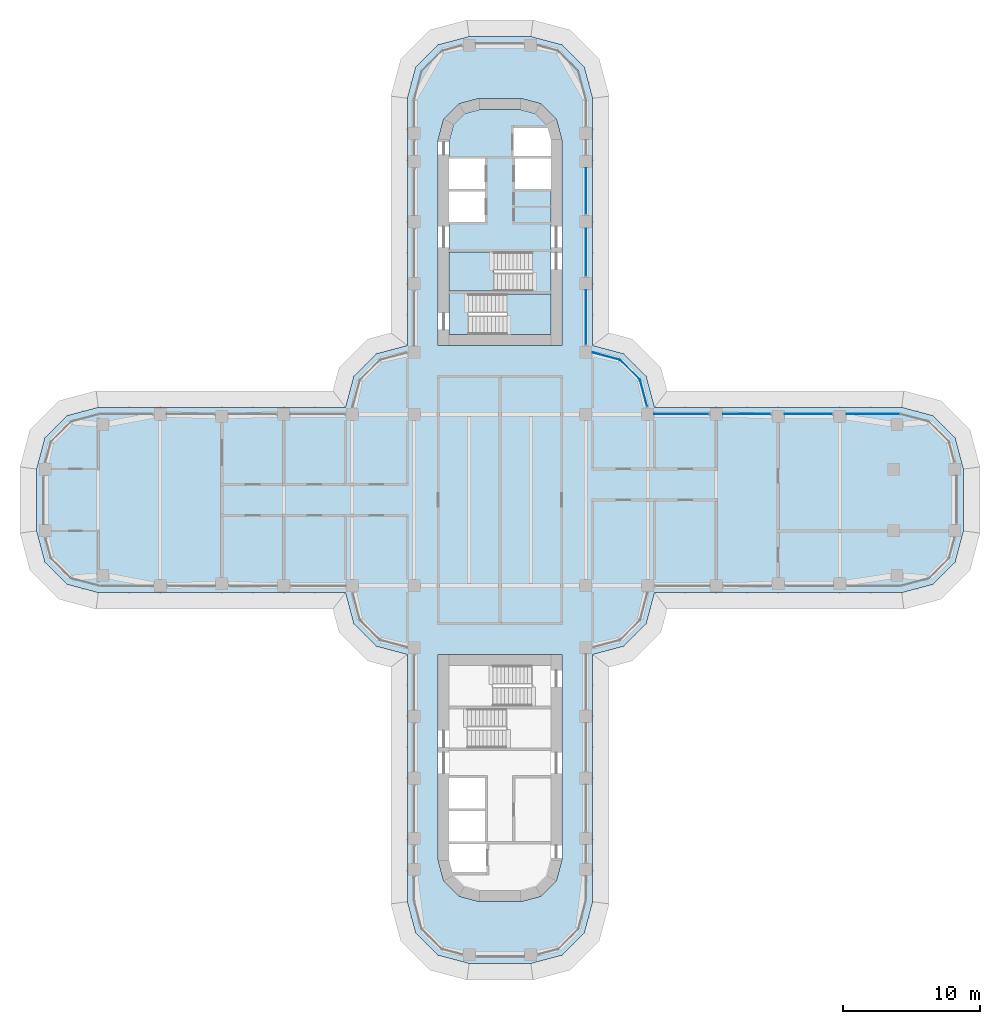
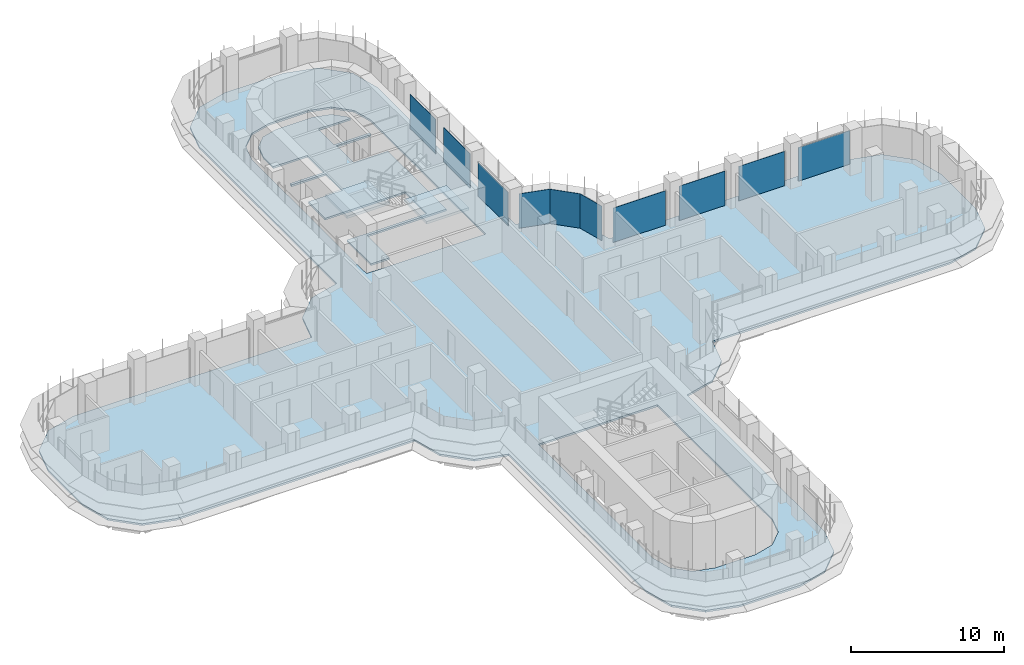
# One storey, part 15 of 23: 10 plates, 4 slabs, 7 elements without a shape of their own.
"""IFC4 building model written with IfcOpenShell, lengths in metres."""

from ifc_helpers import new_model, si_unit, direction, frame, origin, place, context, subcontext, project, spatial, polyline, outline, extrude, source, transform, mapped, material, layer, layer_set, type_object, element, aggregate, save


model = new_model("IFC4")

# Units and contexts
model_context = context("Model", 3, precision=1e-05, world=origin(), true_north=direction((0.0, 1.0)))
body_context = subcontext(model_context, "Body", "Model", "MODEL_VIEW")
ifc_project = project(units=[si_unit("LENGTHUNIT", "METRE"), si_unit("AREAUNIT", "SQUARE_METRE"), si_unit("VOLUMEUNIT", "CUBIC_METRE"), si_unit("PLANEANGLEUNIT", "RADIAN"), si_unit("MASSUNIT", "GRAM", prefix="KILO")], contexts=[model_context])

# Site, building, storey
site_placement = place(None, origin())
site = spatial("IfcSite", under=ifc_project, at=site_placement, CompositionType="ELEMENT")
building_placement = place(site_placement, origin())
building = spatial("IfcBuilding", under=site, at=building_placement, Name="Zarbagh Exchange Tower", CompositionType="ELEMENT")
storey_placement = place(building_placement, frame((0.0, 0.0, 90.39990234375)))
storey = spatial("IfcBuildingStorey", under=building, at=storey_placement, Name="L20", CompositionType="ELEMENT", Elevation=90.39990234375)

# Slabs
ifc_material_1 = material(Name="Concrete C40/50", Category="concrete")
ifc_layer_1 = layer(ifc_material_1, 0.14990234375)
ifc_layer_set_1 = layer_set([ifc_layer_1], Name="Composite floor slab 150 C40/50")
slab_type_1 = type_object("IfcSlabType", Name="Composite floor slab 150 C40/50", PredefinedType="FLOOR", material=ifc_layer_set_1)
slab_1_placement = place(storey_placement, frame((0.0, 0.0, -0.14990234375)))
element("IfcSlab", 1, at=slab_1_placement, inside=storey, type_object=slab_type_1, Name="S5 composite floor slab", PredefinedType="FLOOR", context=body_context, shape_type="SweptSolid", body=[
    extrude(outline(polyline([(-2.25, -33.75), (-4.5, -33.147216796875), (-6.147216796875, -31.5), (-6.75, -29.25), (-6.75, -11.25), (-9.0, -10.647216796875), (-10.647216796875, -9.0), (-11.25, -6.75), (-29.25, -6.75), (-31.5, -6.147216796875), (-33.147216796875, -4.5), (-33.75, -2.25), (-33.75, 2.25), (-33.147216796875, 4.5), (-31.5, 6.147216796875), (-29.25, 6.75), (-11.25, 6.75), (-10.647216796875, 9.0), (-9.0, 10.647216796875), (-6.75, 11.25), (-6.75, 29.25), (-6.147216796875, 31.5), (-4.5, 33.147216796875), (-2.25, 33.75), (2.25, 33.75), (4.5, 33.147216796875), (6.147216796875, 31.5), (6.75, 29.25), (6.75, 11.25), (9.0, 10.647216796875), (10.647216796875, 9.0), (11.25, 6.75), (29.25, 6.75), (31.5, 6.147216796875), (33.147216796875, 4.5), (33.75, 2.25), (33.75, -2.25), (33.147216796875, -4.5), (31.5, -6.147216796875), (29.25, -6.75), (11.25, -6.75), (10.647216796875, -9.0), (9.0, -10.647216796875), (6.75, -11.25), (6.75, -29.25), (6.147216796875, -31.5), (4.5, -33.147216796875), (2.25, -33.75), (-2.25, -33.75)]), holes=[polyline([(4.5, 11.25), (4.5, 26.25), (4.09814453125, 27.75), (3.0, 28.84814453125), (1.5, 29.25), (-1.5, 29.25), (-3.0, 28.84814453125), (-4.09814453125, 27.75), (-4.5, 26.25), (-4.5, 11.25), (4.5, 11.25)]), polyline([(-1.5, -29.25), (1.5, -29.25), (3.0, -28.84814453125), (4.09814453125, -27.75), (4.5, -26.25), (4.5, -11.25), (-4.5, -11.25), (-4.5, -26.25), (-4.09814453125, -27.75), (-3.0, -28.84814453125), (-1.5, -29.25)])]), origin(), (0.0, 0.0, 1.0), 0.14990234375),
])
ifc_layer_2 = layer(ifc_material_1, 0.14990234375)
ifc_layer_set_2 = layer_set([ifc_layer_2], Name="Core floor slab 150 C40/50")
slab_type_2 = type_object("IfcSlabType", Name="Core floor slab 150 C40/50", PredefinedType="FLOOR", material=ifc_layer_set_2)
slab_2_placement = place(storey_placement, frame((0.0, 0.0, -0.14990234375)))
element("IfcSlab", 2, at=slab_2_placement, inside=storey, type_object=slab_type_2, Name="S17 core N", PredefinedType="FLOOR", context=body_context, shape_type="SweptSolid", body=[
    extrude(outline(polyline([(-3.699951171875, 12.050048828125), (-3.699951171875, 15.199951171875), (2.35009765625, 15.199951171875), (2.35009765625, 18.050048828125), (-3.699951171875, 18.050048828125), (-3.699951171875, 20.25), (-1.10009765625, 20.25), (-1.10009765625, 22.449951171875), (-3.699951171875, 22.449951171875), (-3.699951171875, 22.64990234375), (-1.10009765625, 22.64990234375), (-1.10009765625, 24.85009765625), (-3.699951171875, 24.85009765625), (-3.699951171875, 26.144775390625), (-3.380859375, 27.3359375), (-2.5859375, 28.130859375), (-1.394775390625, 28.449951171875), (1.394775390625, 28.449951171875), (2.5859375, 28.130859375), (3.380859375, 27.3359375), (3.646484375, 26.3447265625), (3.444091796875, 27.10009765625), (1.0, 27.10009765625), (1.0, 25.050048828125), (3.699951171875, 25.050048828125), (3.699951171875, 24.85009765625), (1.10009765625, 24.85009765625), (1.10009765625, 22.64990234375), (3.699951171875, 22.64990234375), (3.699951171875, 15.0), (-2.300048828125, 15.0), (-2.300048828125, 12.050048828125), (-3.699951171875, 12.050048828125)])), origin(), (0.0, 0.0, 1.0), 0.14990234375),
])

# Stair, slab
stair_type = type_object("IfcStairType", Name="Exit stair two-flight half-turn", PredefinedType="HALF_TURN_STAIR", material=ifc_material_1)
stair_1_placement = place(storey_placement, origin())
stair_1 = element("IfcStair", 3, at=stair_1_placement, inside=storey, type_object=stair_type, Name="exit stair ST1", PredefinedType="HALF_TURN_STAIR")
ifc_layer_3 = layer(ifc_material_1, 0.199951171875)
ifc_layer_set_3 = layer_set([ifc_layer_3], Name="Stair landing 200 mm")
slab_type_3 = type_object("IfcSlabType", Name="Stair landing 200 mm", PredefinedType="LANDING", material=ifc_layer_set_3)
slab_3_placement = place(storey_placement, frame((0.0, 0.0, 1.7001953125)))
slab_3 = element("IfcSlab", 4, at=slab_3_placement, type_object=slab_type_3, Name="ST1 landing 1", PredefinedType="LANDING", context=body_context, shape_type="SweptSolid", body=[
    extrude(outline(polyline([(-0.449951171875, 18.050048828125), (-3.699951171875, 18.050048828125), (-3.699951171875, 15.199951171875), (-0.449951171875, 15.199951171875), (-0.449951171875, 18.050048828125)])), origin(), (0.0, 0.0, 1.0), 0.199951171875),
])
aggregate(stair_1, [slab_3])

stair_2_placement = place(storey_placement, origin())
stair_2 = element("IfcStair", 5, at=stair_2_placement, inside=storey, type_object=stair_type, Name="exit stair ST2", PredefinedType="HALF_TURN_STAIR")
slab_4_placement = place(storey_placement, frame((0.0, 0.0, 1.7001953125)))
slab_4 = element("IfcSlab", 6, at=slab_4_placement, type_object=slab_type_3, Name="ST2 landing 1", PredefinedType="LANDING", context=body_context, shape_type="SweptSolid", body=[
    extrude(outline(polyline([(0.5, 12.050048828125), (3.699951171875, 12.050048828125), (3.699951171875, 15.0), (0.5, 15.0), (0.5, 12.050048828125)])), origin(), (0.0, 0.0, 1.0), 0.199951171875),
])
aggregate(stair_2, [slab_4])

# Curtain wall, plate
ifc_material_2 = material(Name="Anodised aluminium frame and glazing", Category="aluminium")
curtain_wall_type = type_object("IfcCurtainWallType", Name="CWA Ribbon glazing, lower zones", PredefinedType="NOTDEFINED", material=ifc_material_2)
curtain_wall_1_placement = place(storey_placement, origin())
curtain_wall_1 = element("IfcCurtainWall", 7, at=curtain_wall_1_placement, inside=storey, type_object=curtain_wall_type, Name="CWA18 curtain wall", PredefinedType="NOTDEFINED")
ifc_material_3 = material(Name="Low-e double glazed unit, 6+12+6 mm")
ifc_layer_4 = layer(ifc_material_3, 0.028076171875)
ifc_layer_set_4 = layer_set([ifc_layer_4], Name="PAA Glazing panel, Low-e double glazed unit, 6+12+6 mm")
plate_type = type_object("IfcPlateType", Name="PAA Glazing panel, Low-e double glazed unit, 6+12+6 mm", PredefinedType="CURTAIN_PANEL", material=ifc_layer_set_4)
shared_shape_1 = source(origin(), body_context, "Body", "SweptSolid", [
    extrude(outline(polyline([(0.0, -0.013916015625), (2.061279296875, -0.013916015625), (2.061279296875, 0.013916015625), (0.0, 0.013916015625), (0.0, -0.013916015625)])), origin(), (0.0, 0.0, 1.0), 2.75),
])
placement = place(storey_placement, origin())
plate_1 = element("IfcPlate", 8, at=placement, type_object=plate_type, Name="CWA18 glazing panel 1.1", PredefinedType="CURTAIN_PANEL", context=body_context, shape_type="MappedRepresentation", body=[
    mapped(shared_shape_1, transform((10.19873046875, 8.7412109375, 0.0), x_axis=(-0.707106781187, 0.707106781187, 0.0), y_axis=(-0.707106781187, -0.707106781187, 0.0), z_axis=(0.0, 0.0, 1.0))),
])
aggregate(curtain_wall_1, [plate_1])

curtain_wall_2_placement = place(storey_placement, origin())
curtain_wall_2 = element("IfcCurtainWall", 9, at=curtain_wall_2_placement, inside=storey, type_object=curtain_wall_type, Name="CWA20 curtain wall", PredefinedType="NOTDEFINED")
shared_shape_2 = source(origin(), body_context, "Body", "SweptSolid", [
    extrude(outline(polyline([(0.0, -0.013916015625), (3.360107421875, -0.013916015625), (3.360107421875, 0.013916015625), (0.0, 0.013916015625), (0.0, -0.013916015625)])), origin(), (0.0, 0.0, 1.0), 2.75),
])
plate_2 = element("IfcPlate", 10, at=placement, type_object=plate_type, Name="CWA20 glazing panel 3.1", PredefinedType="CURTAIN_PANEL", context=body_context, shape_type="MappedRepresentation", body=[
    mapped(shared_shape_2, transform((6.25, 20.800048828125, 0.0), x_axis=(0.0, 1.0, 0.0), y_axis=(-1.0, 0.0, 0.0), z_axis=(0.0, 0.0, 1.0))),
])

# Curtain wall, plates
curtain_wall_3_placement = place(storey_placement, origin())
curtain_wall_3 = element("IfcCurtainWall", 11, at=curtain_wall_3_placement, inside=storey, type_object=curtain_wall_type, Name="CWA16 curtain wall", PredefinedType="NOTDEFINED")
shared_shape_3 = source(origin(), body_context, "Body", "SweptSolid", [
    extrude(outline(polyline([(0.0, -0.013916015625), (3.4599609375, -0.013916015625), (3.4599609375, 0.013916015625), (0.0, 0.013916015625), (0.0, -0.013916015625)])), origin(), (0.0, 0.0, 1.0), 2.75),
])
plate_3 = element("IfcPlate", 12, at=placement, type_object=plate_type, Name="CWA16 glazing panel 2.1", PredefinedType="CURTAIN_PANEL", context=body_context, shape_type="MappedRepresentation", body=[
    mapped(shared_shape_3, transform((24.199951171875, 6.25, 0.0), x_axis=(-1.0, 0.0, 0.0), y_axis=(0.0, -1.0, 0.0), z_axis=(0.0, 0.0, 1.0))),
])
plate_4 = element("IfcPlate", 13, at=placement, type_object=plate_type, Name="CWA16 glazing panel 3.1", PredefinedType="CURTAIN_PANEL", context=body_context, shape_type="MappedRepresentation", body=[
    mapped(shared_shape_3, transform((19.699951171875, 6.25, 0.0), x_axis=(-1.0, 0.0, 0.0), y_axis=(0.0, -1.0, 0.0), z_axis=(0.0, 0.0, 1.0))),
])

# Plate
plate_5 = element("IfcPlate", 14, at=placement, type_object=plate_type, Name="CWA20 glazing panel 2.1", PredefinedType="CURTAIN_PANEL", context=body_context, shape_type="MappedRepresentation", body=[
    mapped(shared_shape_3, transform((6.25, 16.300048828125, 0.0), x_axis=(0.0, 1.0, 0.0), y_axis=(-1.0, 0.0, 0.0), z_axis=(0.0, 0.0, 1.0))),
])

shared_shape_4 = source(origin(), body_context, "Body", "SweptSolid", [
    extrude(outline(polyline([(0.0, -0.013916015625), (3.9599609375, -0.013916015625), (3.9599609375, 0.013916015625), (0.0, 0.013916015625), (0.0, -0.013916015625)])), origin(), (0.0, 0.0, 1.0), 2.75),
])
plate_6 = element("IfcPlate", 15, at=placement, type_object=plate_type, Name="CWA16 glazing panel 4.1", PredefinedType="CURTAIN_PANEL", context=body_context, shape_type="MappedRepresentation", body=[
    mapped(shared_shape_4, transform((15.199951171875, 6.25, 0.0), x_axis=(-1.0, 0.0, 0.0), y_axis=(0.0, -1.0, 0.0), z_axis=(0.0, 0.0, 1.0))),
])

# Curtain wall, plate
curtain_wall_4_placement = place(storey_placement, origin())
curtain_wall_4 = element("IfcCurtainWall", 16, at=curtain_wall_4_placement, inside=storey, type_object=curtain_wall_type, Name="CWA17 curtain wall", PredefinedType="NOTDEFINED")
shared_shape_5 = source(origin(), body_context, "Body", "SweptSolid", [
    extrude(outline(polyline([(0.0, -0.013916015625), (2.01171875, -0.013916015625), (2.01171875, 0.013916015625), (0.0, 0.013916015625), (0.0, -0.013916015625)])), origin(), (0.0, 0.0, 1.0), 2.75),
])
plate_7 = element("IfcPlate", 17, at=placement, type_object=plate_type, Name="CWA17 glazing panel 1.1", PredefinedType="CURTAIN_PANEL", context=body_context, shape_type="MappedRepresentation", body=[
    mapped(shared_shape_5, transform((10.719482421875, 6.7978515625, 0.0), x_axis=(-0.258824779902, 0.965924289636, 0.0), y_axis=(-0.965924289636, -0.258824779902, 0.0), z_axis=(0.0, 0.0, 1.0))),
])
aggregate(curtain_wall_4, [plate_7])

curtain_wall_5_placement = place(storey_placement, origin())
curtain_wall_5 = element("IfcCurtainWall", 18, at=curtain_wall_5_placement, inside=storey, type_object=curtain_wall_type, Name="CWA19 curtain wall", PredefinedType="NOTDEFINED")
shared_shape_6 = source(origin(), body_context, "Body", "SweptSolid", [
    extrude(outline(polyline([(0.0, -0.013916015625), (2.07177734375, -0.013916015625), (2.07177734375, 0.013916015625), (0.0, 0.013916015625), (0.0, -0.013916015625)])), origin(), (0.0, 0.0, 1.0), 2.75),
])
plate_8 = element("IfcPlate", 19, at=placement, type_object=plate_type, Name="CWA19 glazing panel 1.1", PredefinedType="CURTAIN_PANEL", context=body_context, shape_type="MappedRepresentation", body=[
    mapped(shared_shape_6, transform((8.7412109375, 10.19873046875, 0.0), x_axis=(-0.965924289636, 0.258824779902, 0.0), y_axis=(-0.258824779902, -0.965924289636, 0.0), z_axis=(0.0, 0.0, 1.0))),
])
aggregate(curtain_wall_5, [plate_8])

# Plate
shared_shape_7 = source(origin(), body_context, "Body", "SweptSolid", [
    extrude(outline(polyline([(0.0, -0.013916015625), (3.9599609375, -0.013916015625), (3.9599609375, 0.013916015625), (0.0, 0.013916015625), (0.0, -0.013916015625)])), origin(), (0.0, 0.0, 1.0), 2.68994140625),
])
plate_9 = element("IfcPlate", 20, at=placement, type_object=plate_type, Name="CWA20 glazing panel 1.1", PredefinedType="CURTAIN_PANEL", context=body_context, shape_type="MappedRepresentation", body=[
    mapped(shared_shape_7, transform((6.25, 11.300048828125, 0.0), x_axis=(0.0, 1.0, 0.0), y_axis=(-1.0, 0.0, 0.0), z_axis=(0.0, 0.0, 1.0))),
])

aggregate(curtain_wall_2, [plate_9, plate_5, plate_2])

shared_shape_8 = source(origin(), body_context, "Body", "SweptSolid", [
    extrude(outline(polyline([(0.0, -0.013916015625), (3.88427734375, -0.013916015625), (3.88427734375, 0.013916015625), (0.0, 0.013916015625), (0.0, -0.013916015625)])), origin(), (0.0, 0.0, 1.0), 2.68994140625),
])
plate_10 = element("IfcPlate", 21, at=placement, type_object=plate_type, Name="CWA16 glazing panel 1.1", PredefinedType="CURTAIN_PANEL", context=body_context, shape_type="MappedRepresentation", body=[
    mapped(shared_shape_8, transform((29.124267578125, 6.25, 0.0), x_axis=(-1.0, 0.0, 0.0), y_axis=(0.0, -1.0, 0.0), z_axis=(0.0, 0.0, 1.0))),
])

aggregate(curtain_wall_3, [plate_10, plate_3, plate_4, plate_6])

save(model, "model.ifc")
